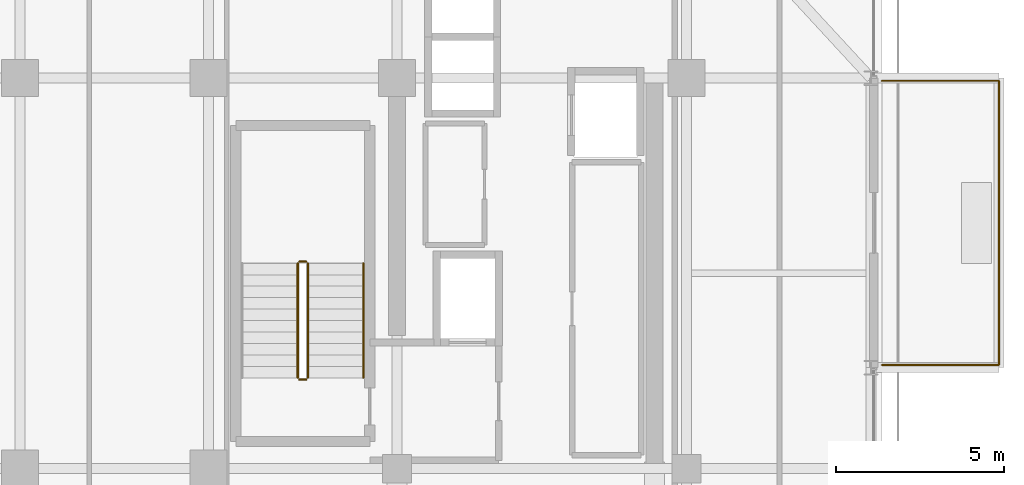
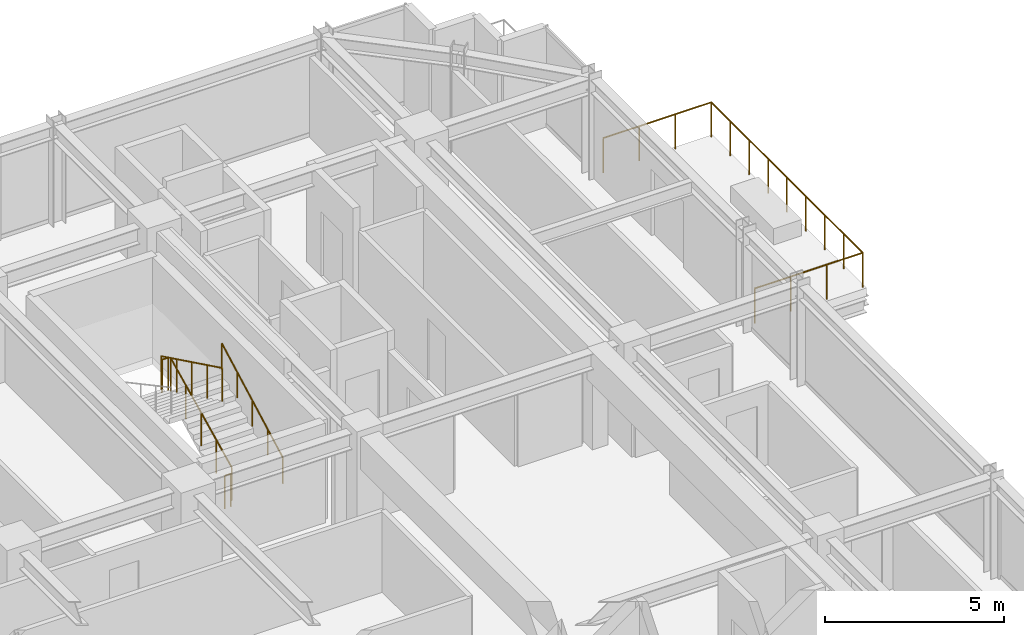
# One storey, part 32 of 33: 6 railings.
"""IFC4 building model written with IfcOpenShell, lengths in metres."""

from ifc_helpers import new_model, si_unit, direction, frame, origin, origin_2d, place, context, subcontext, project, spatial, circle, extrude, material, type_object, element, save


model = new_model("IFC4")

# Units and contexts
model_context = context("Model", 3, precision=1e-05, world=origin(), true_north=direction((0.0, 1.0)))
body_context = subcontext(model_context, "Body", "Model", "MODEL_VIEW")
ifc_project = project(units=[si_unit("LENGTHUNIT", "METRE"), si_unit("AREAUNIT", "SQUARE_METRE"), si_unit("VOLUMEUNIT", "CUBIC_METRE"), si_unit("PLANEANGLEUNIT", "RADIAN"), si_unit("MASSUNIT", "GRAM", prefix="KILO")], contexts=[model_context])

# Site, building, storey
site_placement = place(None, origin())
site = spatial("IfcSite", under=ifc_project, at=site_placement, CompositionType="ELEMENT")
building_placement = place(site_placement, origin())
building = spatial("IfcBuilding", under=site, at=building_placement, Name="Nahalor Promenade Grand Hotel", CompositionType="ELEMENT")
storey_placement = place(building_placement, frame((0.0, 0.0, 149.0)))
storey = spatial("IfcBuildingStorey", under=building, at=storey_placement, Name="L37", CompositionType="ELEMENT", Elevation=149.0)

# Railings
ifc_material_1 = material(Name="Anodised Bronze Aluminium EN AW-6063 T6", Category="aluminium")
railing_type_1 = type_object("IfcRailingType", Name="Bronze Balcony Guardrail 1200 mm", PredefinedType="GUARDRAIL", material=ifc_material_1)
railing_1_placement = place(storey_placement, frame((22.800048828125, 8.47998046875, 0.0)))
element("IfcRailing", 1, at=railing_1_placement, inside=storey, type_object=railing_type_1, Name="L37 Balcony Guardrail 2", PredefinedType="GUARDRAIL", context=body_context, shape_type="SweptSolid", body=[
    extrude(circle(Radius=0.024048, at=origin_2d()), frame((0.0, 0.0, 1.17578125), z_axis=(1.0, 0.0, 0.0), x_axis=(0.0, 1.0, 0.0)), (0.0, 0.0, 1.0), 3.47802734375),
    extrude(circle(Radius=0.024048, at=origin_2d()), frame((3.47998046875, 0.001953125, 1.17578125), z_axis=(0.0, 1.0, 0.0), x_axis=(-1.0, 0.0, 0.0)), (0.0, 0.0, 1.0), 8.43603515625),
    extrude(circle(Radius=0.024048, at=origin_2d()), frame((3.47802734375, 8.43994140625, 1.17578125), z_axis=(-1.0, 0.0, 0.0), x_axis=(0.0, -1.0, 0.0)), (0.0, 0.0, 1.0), 3.47802734375),
    extrude(circle(Radius=0.020996, at=origin_2d()), origin(), (0.0, 0.0, 1.0), 1.14990234375),
    extrude(circle(Radius=0.020996, at=origin_2d()), frame((1.159912109375, 0.0, 0.0)), (0.0, 0.0, 1.0), 1.14990234375),
    extrude(circle(Radius=0.020996, at=origin_2d()), frame((2.320068359375, 0.0, 0.0)), (0.0, 0.0, 1.0), 1.14990234375),
    extrude(circle(Radius=0.020996, at=origin_2d()), frame((3.47998046875, 0.0, 0.0)), (0.0, 0.0, 1.0), 1.14990234375),
    extrude(circle(Radius=0.020996, at=origin_2d()), frame((3.47998046875, 1.054931640625, 0.0)), (0.0, 0.0, 1.0), 1.14990234375),
    extrude(circle(Radius=0.020996, at=origin_2d()), frame((3.47998046875, 2.10986328125, 0.0)), (0.0, 0.0, 1.0), 1.14990234375),
    extrude(circle(Radius=0.020996, at=origin_2d()), frame((3.47998046875, 3.1650390625, 0.0)), (0.0, 0.0, 1.0), 1.14990234375),
    extrude(circle(Radius=0.020996, at=origin_2d()), frame((3.47998046875, 4.219970703125, 0.0)), (0.0, 0.0, 1.0), 1.14990234375),
    extrude(circle(Radius=0.020996, at=origin_2d()), frame((3.47998046875, 5.27490234375, 0.0)), (0.0, 0.0, 1.0), 1.14990234375),
    extrude(circle(Radius=0.020996, at=origin_2d()), frame((3.47998046875, 6.330078125, 0.0)), (0.0, 0.0, 1.0), 1.14990234375),
    extrude(circle(Radius=0.020996, at=origin_2d()), frame((3.47998046875, 7.385009765625, 0.0)), (0.0, 0.0, 1.0), 1.14990234375),
    extrude(circle(Radius=0.020996, at=origin_2d()), frame((3.47998046875, 8.43994140625, 0.0)), (0.0, 0.0, 1.0), 1.14990234375),
    extrude(circle(Radius=0.020996, at=origin_2d()), frame((2.320068359375, 8.43994140625, 0.0)), (0.0, 0.0, 1.0), 1.14990234375),
    extrude(circle(Radius=0.020996, at=origin_2d()), frame((1.159912109375, 8.43994140625, 0.0)), (0.0, 0.0, 1.0), 1.14990234375),
    extrude(circle(Radius=0.020996, at=origin_2d()), frame((0.0, 8.43994140625, 0.0)), (0.0, 0.0, 1.0), 1.14990234375),
])
ifc_material_2 = material(Name="Steel S355JR", Category="steel")
railing_type_2 = type_object("IfcRailingType", Name="Steel Stair Guardrail 1150 mm", PredefinedType="GUARDRAIL", material=ifc_material_2)
railing_2_placement = place(storey_placement, frame((5.75, 8.10009765625, 0.166015625)))
element("IfcRailing", 2, at=railing_2_placement, inside=storey, type_object=railing_type_2, Name="L37 ST1 stair guard 1", PredefinedType="GUARDRAIL", context=body_context, shape_type="SweptSolid", body=[
    extrude(circle(Radius=0.024048, at=origin_2d()), frame((0.0, 0.0, 1.1259765625), z_axis=(0.0, 0.898721922897, 0.438518990814), x_axis=(-1.0, 0.0, 0.0)), (0.0, 0.0, 1.0), 3.782958984375),
    extrude(circle(Radius=0.020996, at=origin_2d()), origin(), (0.0, 0.0, 1.0), 1.099853515625),
    extrude(circle(Radius=0.020996, at=origin_2d()), frame((0.0, 0.85009765625, 0.414794921875)), (0.0, 0.0, 1.0), 1.099853515625),
    extrude(circle(Radius=0.020996, at=origin_2d()), frame((0.0, 1.699951171875, 0.82958984375)), (0.0, 0.0, 1.0), 1.099853515625),
    extrude(circle(Radius=0.020996, at=origin_2d()), frame((0.0, 2.5498046875, 1.244140625)), (0.0, 0.0, 1.0), 1.099853515625),
    extrude(circle(Radius=0.020996, at=origin_2d()), frame((0.0, 3.39990234375, 1.658935546875)), (0.0, 0.0, 1.0), 1.099853515625),
])
railing_3_placement = place(storey_placement, frame((5.699951171875, 11.550048828125, 1.824951171875)))
element("IfcRailing", 3, at=railing_3_placement, inside=storey, type_object=railing_type_2, Name="L37 ST1 stair guard 2", PredefinedType="GUARDRAIL", context=body_context, shape_type="SweptSolid", body=[
    extrude(circle(Radius=0.024048, at=origin_2d()), frame((0.0, 0.0, 1.1259765625), z_axis=(-1.0, 0.0, 0.0), x_axis=(0.0, -1.0, 0.0)), (0.0, 0.0, 1.0), 0.199951171875),
    extrude(circle(Radius=0.020996, at=origin_2d()), origin(), (0.0, 0.0, 1.0), 1.099853515625),
    extrude(circle(Radius=0.020996, at=origin_2d()), frame((-0.199951171875, 0.0, 0.0)), (0.0, 0.0, 1.0), 1.099853515625),
])
railing_4_placement = place(storey_placement, frame((5.449951171875, 11.5, 1.990966796875)))
element("IfcRailing", 4, at=railing_4_placement, inside=storey, type_object=railing_type_2, Name="L37 ST1 stair guard 3", PredefinedType="GUARDRAIL", context=body_context, shape_type="SweptSolid", body=[
    extrude(circle(Radius=0.024048, at=origin_2d()), frame((0.0, 0.0, 1.1259765625), z_axis=(0.0, -0.898721922897, 0.438518990814), x_axis=(1.0, 0.0, 0.0)), (0.0, 0.0, 1.0), 3.782958984375),
    extrude(circle(Radius=0.020996, at=origin_2d()), origin(), (0.0, 0.0, 1.0), 1.099853515625),
    extrude(circle(Radius=0.020996, at=origin_2d()), frame((0.0, -0.85009765625, 0.414794921875)), (0.0, 0.0, 1.0), 1.099853515625),
    extrude(circle(Radius=0.020996, at=origin_2d()), frame((0.0, -1.699951171875, 0.82958984375)), (0.0, 0.0, 1.0), 1.099853515625),
    extrude(circle(Radius=0.020996, at=origin_2d()), frame((0.0, -2.5498046875, 1.244140625)), (0.0, 0.0, 1.0), 1.099853515625),
    extrude(circle(Radius=0.020996, at=origin_2d()), frame((0.0, -3.39990234375, 1.658935546875)), (0.0, 0.0, 1.0), 1.099853515625),
])
railing_5_placement = place(storey_placement, frame((5.699951171875, 8.050048828125, 0.0)))
element("IfcRailing", 5, at=railing_5_placement, inside=storey, type_object=railing_type_2, Name="L37 ST1 stair guard 4", PredefinedType="GUARDRAIL", context=body_context, shape_type="SweptSolid", body=[
    extrude(circle(Radius=0.024048, at=origin_2d()), frame((0.0, 0.0, 1.1259765625), z_axis=(-1.0, 0.0, 0.0), x_axis=(0.0, -1.0, 0.0)), (0.0, 0.0, 1.0), 0.199951171875),
    extrude(circle(Radius=0.020996, at=origin_2d()), origin(), (0.0, 0.0, 1.0), 1.099853515625),
    extrude(circle(Radius=0.020996, at=origin_2d()), frame((-0.199951171875, 0.0, 0.0)), (0.0, 0.0, 1.0), 1.099853515625),
])
railing_type_3 = type_object("IfcRailingType", Name="Steel Stair Handrail 900 mm", PredefinedType="HANDRAIL", material=ifc_material_2)
railing_6_placement = place(storey_placement, frame((7.39990234375, 8.10009765625, 0.166015625)))
element("IfcRailing", 6, at=railing_6_placement, inside=storey, type_object=railing_type_3, Name="L37 ST1 stair handrail 1", PredefinedType="HANDRAIL", context=body_context, shape_type="SweptSolid", body=[
    extrude(circle(Radius=0.024048, at=origin_2d()), frame((0.0, 0.0, 0.8759765625), z_axis=(0.0, 0.881094038095, 0.47294111265), x_axis=(-1.0, 0.0, 0.0)), (0.0, 0.0, 1.0), 3.858642578125),
    extrude(circle(Radius=0.020996, at=origin_2d()), origin(), (0.0, 0.0, 1.0), 0.849853515625),
    extrude(circle(Radius=0.020996, at=origin_2d()), frame((0.0, 0.85009765625, 0.456298828125)), (0.0, 0.0, 1.0), 0.849853515625),
    extrude(circle(Radius=0.020996, at=origin_2d()), frame((0.0, 1.699951171875, 0.91259765625)), (0.0, 0.0, 1.0), 0.849853515625),
    extrude(circle(Radius=0.020996, at=origin_2d()), frame((0.0, 2.5498046875, 1.36865234375)), (0.0, 0.0, 1.0), 0.849853515625),
    extrude(circle(Radius=0.020996, at=origin_2d()), frame((0.0, 3.39990234375, 1.824951171875)), (0.0, 0.0, 1.0), 0.849853515625),
])

save(model, "model.ifc")
